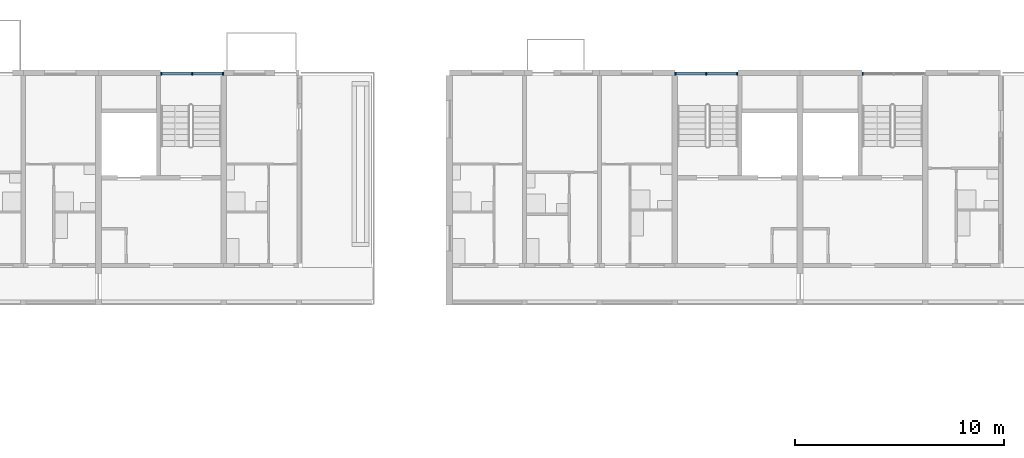
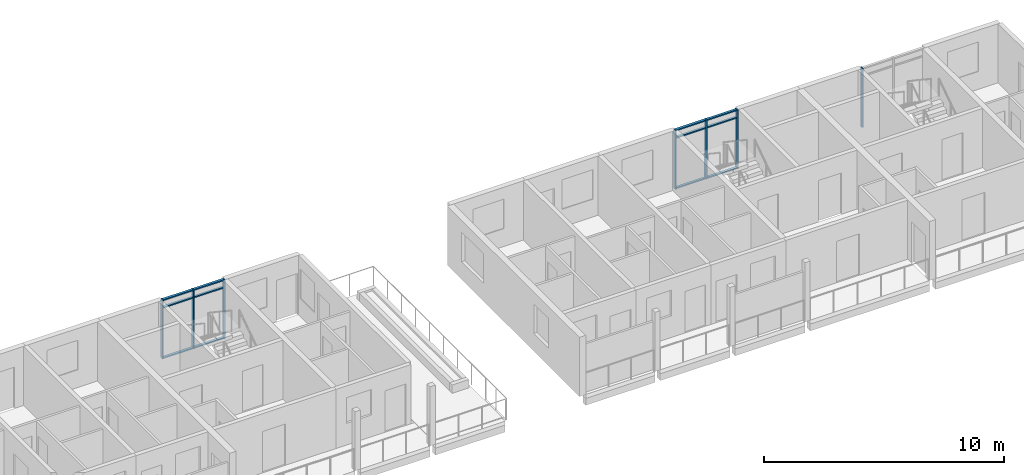
# One storey, part 23 of 94: 19 members, 3 elements without a shape of their own.
"""IFC4 building model written with IfcOpenShell, lengths in metres."""

from ifc_helpers import new_model, si_unit, direction, frame, origin, origin_2d, place, context, subcontext, project, spatial, rectangle, extrude, material, material_profile, profile_set, type_object, element, aggregate, save


model = new_model("IFC4")

# Units and contexts
model_context = context("Model", 3, precision=1e-05, world=origin(), true_north=direction((0.0, 1.0)))
body_context = subcontext(model_context, "Body", "Model", "MODEL_VIEW")
ifc_project = project(units=[si_unit("LENGTHUNIT", "METRE"), si_unit("AREAUNIT", "SQUARE_METRE"), si_unit("VOLUMEUNIT", "CUBIC_METRE"), si_unit("PLANEANGLEUNIT", "RADIAN"), si_unit("MASSUNIT", "GRAM", prefix="KILO")], contexts=[model_context])

# Site, building, storey
site_placement = place(None, origin())
site = spatial("IfcSite", under=ifc_project, at=site_placement, CompositionType="ELEMENT")
building_placement = place(site_placement, origin())
building = spatial("IfcBuilding", under=site, at=building_placement, Name="Ridgestep Commons", CompositionType="ELEMENT")
storey_placement = place(building_placement, frame((0.0, 0.0, 24.0)))
storey = spatial("IfcBuildingStorey", under=building, at=storey_placement, Name="L08", CompositionType="ELEMENT", Elevation=24.0)

# Curtain wall, members
ifc_material_1 = material(Name="Aluminium 6063-T6 and glass", Category="aluminium")
curtain_wall_type = type_object("IfcCurtainWallType", Name="Curtain wall stair strip", PredefinedType="NOTDEFINED", material=ifc_material_1)
curtain_wall_1_placement = place(storey_placement, origin())
curtain_wall_1 = element("IfcCurtainWall", 1, at=curtain_wall_1_placement, inside=storey, type_object=curtain_wall_type, Name="Curtain wall C4C level 08", PredefinedType="NOTDEFINED")
ifc_material_2 = material(Name="Aluminium 6063-T6", Category="aluminium")
ifc_material_profile_1 = material_profile(ifc_material_2, rectangle(XDim=0.159912109375, YDim=0.06005859375, at=origin_2d()), Name="Mullion 60 x 160")
ifc_profile_set_1 = profile_set([ifc_material_profile_1], Name="Aluminium 6063-T6")
member_type_1 = type_object("IfcMemberType", Name="Mullion 60 x 160", PredefinedType="MULLION", material=ifc_profile_set_1)
member_1_placement = place(storey_placement, frame((200.205078125, 77.080078125, 0.0), z_axis=(0.0, 0.0, 1.0), x_axis=(0.0, 1.0, 0.0)))
member_1 = element("IfcMember", 2, at=member_1_placement, type_object=member_type_1, Name="CW1 mullion 1", PredefinedType="MULLION", context=body_context, shape_type="SweptSolid", body=[
    extrude(rectangle(XDim=0.159912109375, YDim=0.06005859375, at=origin_2d()), origin(), (0.0, 0.0, 1.0), 3.0),
])
member_2_placement = place(storey_placement, frame((201.6875, 77.080078125, 0.0), z_axis=(0.0, 0.0, 1.0), x_axis=(0.0, 1.0, 0.0)))
member_2 = element("IfcMember", 3, at=member_2_placement, type_object=member_type_1, Name="CW1 mullion 2", PredefinedType="MULLION", context=body_context, shape_type="SweptSolid", body=[
    extrude(rectangle(XDim=0.159912109375, YDim=0.06005859375, at=origin_2d()), origin(), (0.0, 0.0, 1.0), 3.0),
])
member_3_placement = place(storey_placement, frame((203.169921875, 77.080078125, 0.0), z_axis=(0.0, 0.0, 1.0), x_axis=(0.0, 1.0, 0.0)))
member_3 = element("IfcMember", 4, at=member_3_placement, type_object=member_type_1, Name="CW1 mullion 3", PredefinedType="MULLION", context=body_context, shape_type="SweptSolid", body=[
    extrude(rectangle(XDim=0.159912109375, YDim=0.06005859375, at=origin_2d()), origin(), (0.0, 0.0, 1.0), 3.0),
])

curtain_wall_2_placement = place(storey_placement, origin())
curtain_wall_2 = element("IfcCurtainWall", 5, at=curtain_wall_2_placement, inside=storey, type_object=curtain_wall_type, Name="Curtain wall C5C level 08", PredefinedType="NOTDEFINED")
member_4_placement = place(storey_placement, frame((224.830078125, 77.080078125, 0.0), z_axis=(0.0, 0.0, 1.0), x_axis=(0.0, 1.0, 0.0)))
member_4 = element("IfcMember", 6, at=member_4_placement, type_object=member_type_1, Name="CW1 mullion 1", PredefinedType="MULLION", context=body_context, shape_type="SweptSolid", body=[
    extrude(rectangle(XDim=0.159912109375, YDim=0.06005859375, at=origin_2d()), origin(), (0.0, 0.0, 1.0), 3.0),
])
member_5_placement = place(storey_placement, frame((226.3125, 77.080078125, 0.0), z_axis=(0.0, 0.0, 1.0), x_axis=(0.0, 1.0, 0.0)))
member_5 = element("IfcMember", 7, at=member_5_placement, type_object=member_type_1, Name="CW1 mullion 2", PredefinedType="MULLION", context=body_context, shape_type="SweptSolid", body=[
    extrude(rectangle(XDim=0.159912109375, YDim=0.06005859375, at=origin_2d()), origin(), (0.0, 0.0, 1.0), 3.0),
])
member_6_placement = place(storey_placement, frame((227.794921875, 77.080078125, 0.0), z_axis=(0.0, 0.0, 1.0), x_axis=(0.0, 1.0, 0.0)))
member_6 = element("IfcMember", 8, at=member_6_placement, type_object=member_type_1, Name="CW1 mullion 3", PredefinedType="MULLION", context=body_context, shape_type="SweptSolid", body=[
    extrude(rectangle(XDim=0.159912109375, YDim=0.06005859375, at=origin_2d()), origin(), (0.0, 0.0, 1.0), 3.0),
])

# Curtain wall, member
curtain_wall_3_placement = place(storey_placement, origin())
curtain_wall_3 = element("IfcCurtainWall", 9, at=curtain_wall_3_placement, inside=storey, type_object=curtain_wall_type, Name="Curtain wall C6C level 08", PredefinedType="NOTDEFINED")
member_7_placement = place(storey_placement, frame((233.804931640625, 77.080078125, 0.0), z_axis=(0.0, 0.0, 1.0), x_axis=(0.0, 1.0, 0.0)))
member_7 = element("IfcMember", 10, at=member_7_placement, type_object=member_type_1, Name="CW1 mullion 1", PredefinedType="MULLION", context=body_context, shape_type="SweptSolid", body=[
    extrude(rectangle(XDim=0.159912109375, YDim=0.06005859375, at=origin_2d()), origin(), (0.0, 0.0, 1.0), 3.0),
])
aggregate(curtain_wall_3, [member_7])

# Member
ifc_material_3 = material(Name="Aluminium 6063-T6", Category="aluminium")
ifc_material_profile_2 = material_profile(ifc_material_3, rectangle(XDim=0.1201171875, YDim=0.06005859375, at=origin_2d()), Name="Transom 60 x 120")
ifc_profile_set_2 = profile_set([ifc_material_profile_2], Name="Aluminium 6063-T6")
member_type_2 = type_object("IfcMemberType", Name="Transom 60 x 120", PredefinedType="USERDEFINED", material=ifc_profile_set_2)
member_8_placement = place(storey_placement, frame((200.235107421875, 77.080078125, 0.030029296875), z_axis=(1.0, 0.0, 0.0), x_axis=(0.0, 1.0, 0.0)))
member_8 = element("IfcMember", 11, at=member_8_placement, type_object=member_type_2, Name="CW1 transom 1.1", ObjectType="TRANSOM", PredefinedType="USERDEFINED", context=body_context, shape_type="SweptSolid", body=[
    extrude(rectangle(XDim=0.1201171875, YDim=0.06005859375, at=origin_2d()), origin(), (0.0, 0.0, 1.0), 1.42236328125),
])

member_9_placement = place(storey_placement, frame((200.235107421875, 77.080078125, 2.590087890625), z_axis=(1.0, 0.0, 0.0), x_axis=(0.0, 1.0, 0.0)))
member_9 = element("IfcMember", 12, at=member_9_placement, type_object=member_type_2, Name="CW1 transom 1.2", ObjectType="TRANSOM", PredefinedType="USERDEFINED", context=body_context, shape_type="SweptSolid", body=[
    extrude(rectangle(XDim=0.1201171875, YDim=0.06005859375, at=origin_2d()), origin(), (0.0, 0.0, 1.0), 1.42236328125),
])

member_10_placement = place(storey_placement, frame((200.235107421875, 77.080078125, 2.969970703125), z_axis=(1.0, 0.0, 0.0), x_axis=(0.0, 1.0, 0.0)))
member_10 = element("IfcMember", 13, at=member_10_placement, type_object=member_type_2, Name="CW1 transom 1.3", ObjectType="TRANSOM", PredefinedType="USERDEFINED", context=body_context, shape_type="SweptSolid", body=[
    extrude(rectangle(XDim=0.1201171875, YDim=0.06005859375, at=origin_2d()), origin(), (0.0, 0.0, 1.0), 1.42236328125),
])

member_11_placement = place(storey_placement, frame((201.717529296875, 77.080078125, 0.030029296875), z_axis=(1.0, 0.0, 0.0), x_axis=(0.0, 1.0, 0.0)))
member_11 = element("IfcMember", 14, at=member_11_placement, type_object=member_type_2, Name="CW1 transom 2.1", ObjectType="TRANSOM", PredefinedType="USERDEFINED", context=body_context, shape_type="SweptSolid", body=[
    extrude(rectangle(XDim=0.1201171875, YDim=0.06005859375, at=origin_2d()), origin(), (0.0, 0.0, 1.0), 1.42236328125),
])

member_12_placement = place(storey_placement, frame((201.717529296875, 77.080078125, 2.590087890625), z_axis=(1.0, 0.0, 0.0), x_axis=(0.0, 1.0, 0.0)))
member_12 = element("IfcMember", 15, at=member_12_placement, type_object=member_type_2, Name="CW1 transom 2.2", ObjectType="TRANSOM", PredefinedType="USERDEFINED", context=body_context, shape_type="SweptSolid", body=[
    extrude(rectangle(XDim=0.1201171875, YDim=0.06005859375, at=origin_2d()), origin(), (0.0, 0.0, 1.0), 1.42236328125),
])

member_13_placement = place(storey_placement, frame((201.717529296875, 77.080078125, 2.969970703125), z_axis=(1.0, 0.0, 0.0), x_axis=(0.0, 1.0, 0.0)))
member_13 = element("IfcMember", 16, at=member_13_placement, type_object=member_type_2, Name="CW1 transom 2.3", ObjectType="TRANSOM", PredefinedType="USERDEFINED", context=body_context, shape_type="SweptSolid", body=[
    extrude(rectangle(XDim=0.1201171875, YDim=0.06005859375, at=origin_2d()), origin(), (0.0, 0.0, 1.0), 1.42236328125),
])

aggregate(curtain_wall_1, [member_1, member_2, member_3, member_8, member_9, member_10, member_11, member_12, member_13])

member_14_placement = place(storey_placement, frame((224.860107421875, 77.080078125, 0.030029296875), z_axis=(1.0, 0.0, 0.0), x_axis=(0.0, 1.0, 0.0)))
member_14 = element("IfcMember", 17, at=member_14_placement, type_object=member_type_2, Name="CW1 transom 1.1", ObjectType="TRANSOM", PredefinedType="USERDEFINED", context=body_context, shape_type="SweptSolid", body=[
    extrude(rectangle(XDim=0.1201171875, YDim=0.06005859375, at=origin_2d()), origin(), (0.0, 0.0, 1.0), 1.42236328125),
])

member_15_placement = place(storey_placement, frame((224.860107421875, 77.080078125, 2.590087890625), z_axis=(1.0, 0.0, 0.0), x_axis=(0.0, 1.0, 0.0)))
member_15 = element("IfcMember", 18, at=member_15_placement, type_object=member_type_2, Name="CW1 transom 1.2", ObjectType="TRANSOM", PredefinedType="USERDEFINED", context=body_context, shape_type="SweptSolid", body=[
    extrude(rectangle(XDim=0.1201171875, YDim=0.06005859375, at=origin_2d()), origin(), (0.0, 0.0, 1.0), 1.42236328125),
])

member_16_placement = place(storey_placement, frame((224.860107421875, 77.080078125, 2.969970703125), z_axis=(1.0, 0.0, 0.0), x_axis=(0.0, 1.0, 0.0)))
member_16 = element("IfcMember", 19, at=member_16_placement, type_object=member_type_2, Name="CW1 transom 1.3", ObjectType="TRANSOM", PredefinedType="USERDEFINED", context=body_context, shape_type="SweptSolid", body=[
    extrude(rectangle(XDim=0.1201171875, YDim=0.06005859375, at=origin_2d()), origin(), (0.0, 0.0, 1.0), 1.42236328125),
])

member_17_placement = place(storey_placement, frame((226.342529296875, 77.080078125, 0.030029296875), z_axis=(1.0, 0.0, 0.0), x_axis=(0.0, 1.0, 0.0)))
member_17 = element("IfcMember", 20, at=member_17_placement, type_object=member_type_2, Name="CW1 transom 2.1", ObjectType="TRANSOM", PredefinedType="USERDEFINED", context=body_context, shape_type="SweptSolid", body=[
    extrude(rectangle(XDim=0.1201171875, YDim=0.06005859375, at=origin_2d()), origin(), (0.0, 0.0, 1.0), 1.42236328125),
])

member_18_placement = place(storey_placement, frame((226.342529296875, 77.080078125, 2.590087890625), z_axis=(1.0, 0.0, 0.0), x_axis=(0.0, 1.0, 0.0)))
member_18 = element("IfcMember", 21, at=member_18_placement, type_object=member_type_2, Name="CW1 transom 2.2", ObjectType="TRANSOM", PredefinedType="USERDEFINED", context=body_context, shape_type="SweptSolid", body=[
    extrude(rectangle(XDim=0.1201171875, YDim=0.06005859375, at=origin_2d()), origin(), (0.0, 0.0, 1.0), 1.42236328125),
])

member_19_placement = place(storey_placement, frame((226.342529296875, 77.080078125, 2.969970703125), z_axis=(1.0, 0.0, 0.0), x_axis=(0.0, 1.0, 0.0)))
member_19 = element("IfcMember", 22, at=member_19_placement, type_object=member_type_2, Name="CW1 transom 2.3", ObjectType="TRANSOM", PredefinedType="USERDEFINED", context=body_context, shape_type="SweptSolid", body=[
    extrude(rectangle(XDim=0.1201171875, YDim=0.06005859375, at=origin_2d()), origin(), (0.0, 0.0, 1.0), 1.42236328125),
])

aggregate(curtain_wall_2, [member_4, member_5, member_6, member_14, member_15, member_16, member_17, member_18, member_19])

save(model, "model.ifc")
